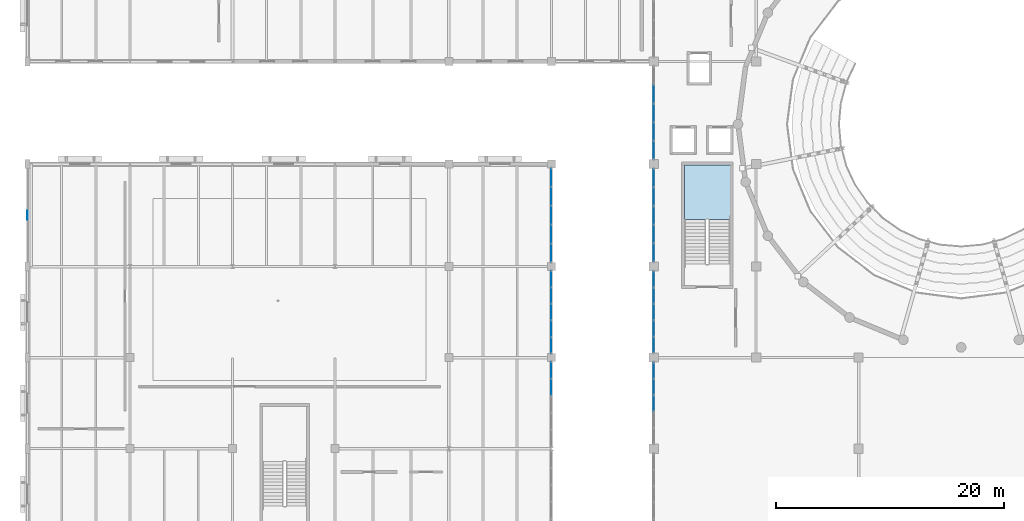
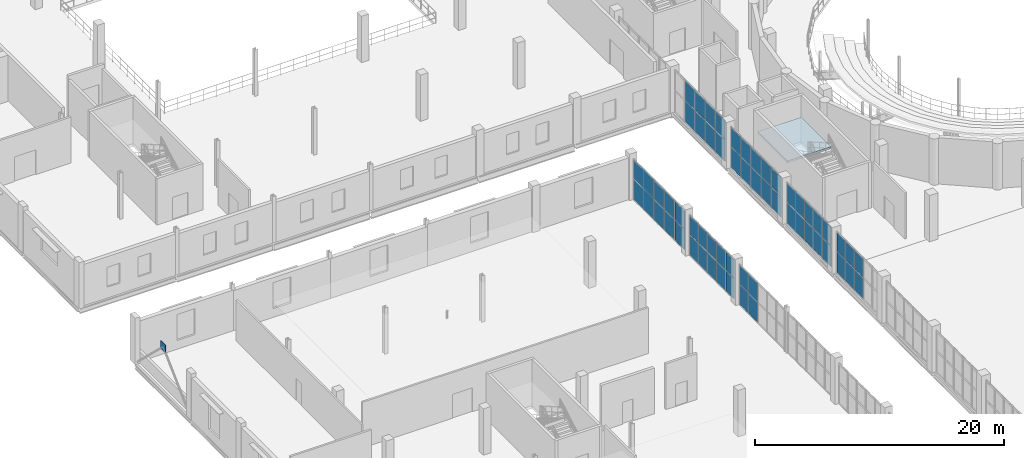
# One storey, part 57 of 93: 59 plates, 1 slab, 8 elements without a shape of their own.
"""IFC4 building model written with IfcOpenShell, lengths in metres."""

from ifc_helpers import new_model, si_unit, direction, frame, origin, origin_2d, place, context, subcontext, project, spatial, polyline, rectangle, outline, extrude, material, layer, layer_set, type_object, element, aggregate, save


model = new_model("IFC4")

# Units and contexts
model_context = context("Model", 3, precision=1e-05, world=origin(), true_north=direction((0.0, 1.0)))
body_context = subcontext(model_context, "Body", "Model", "MODEL_VIEW")
ifc_project = project(units=[si_unit("LENGTHUNIT", "METRE"), si_unit("AREAUNIT", "SQUARE_METRE"), si_unit("VOLUMEUNIT", "CUBIC_METRE"), si_unit("PLANEANGLEUNIT", "RADIAN"), si_unit("MASSUNIT", "GRAM", prefix="KILO")], contexts=[model_context])

# Site, building, storey
site_placement = place(None, origin())
site = spatial("IfcSite", under=ifc_project, at=site_placement, CompositionType="ELEMENT")
building_placement = place(site_placement, origin())
building = spatial("IfcBuilding", under=site, at=building_placement, Name="Marnock Terrace Opera House", CompositionType="ELEMENT")
storey_placement = place(building_placement, frame((0.0, 0.0, 5.39990234375)))
storey = spatial("IfcBuildingStorey", under=building, at=storey_placement, Name="L01", CompositionType="ELEMENT", Elevation=5.39990234375)

# Curtain wall, plates
ifc_material_1 = material(Name="Anodised architectural bronze aluminium framing", Category="aluminium")
ifc_layer_1 = layer(ifc_material_1, 0.159912109375)
ifc_layer_set_1 = layer_set([ifc_layer_1], Name="Anodised architectural bronze aluminium framing")
curtain_wall_type_1 = type_object("IfcCurtainWallType", Name="CW-FOYER-80x45", PredefinedType="NOTDEFINED", material=ifc_layer_set_1)
curtain_wall_1_placement = place(storey_placement, origin())
curtain_wall_1 = element("IfcCurtainWall", 1, at=curtain_wall_1_placement, inside=storey, type_object=curtain_wall_type_1, Name="L01 glazed Beaux-Arts colonnade curtain wall CW-V1W-L01-04", PredefinedType="NOTDEFINED")
ifc_material_2 = material(Name="Double-glazed acoustic low-E laminated glass", Category="glass")
ifc_layer_2 = layer(ifc_material_2, 0.028076171875)
ifc_layer_set_2 = layer_set([ifc_layer_2], Name="Double-glazed acoustic low-E laminated glass")
plate_type_1 = type_object("IfcPlateType", Name="CWP-GLZ-28", PredefinedType="CURTAIN_PANEL", material=ifc_layer_set_2)
plate_1_placement = place(storey_placement, frame((55.0, 36.0, 0.06005859375), z_axis=(0.0, 0.0, 1.0), x_axis=(0.0, 1.0, 0.0)))
plate_1 = element("IfcPlate", 2, at=plate_1_placement, type_object=plate_type_1, Name="CW-87 panel 3.1", PredefinedType="CURTAIN_PANEL", context=body_context, shape_type="SweptSolid", body=[
    extrude(rectangle(XDim=1.381591796875, YDim=0.028076171875, at=origin_2d()), origin(), (0.0, 0.0, 1.0), 2.017333984375),
])
plate_2_placement = place(storey_placement, frame((55.0, 36.0, 2.1376953125), z_axis=(0.0, 0.0, 1.0), x_axis=(0.0, 1.0, 0.0)))
plate_2 = element("IfcPlate", 3, at=plate_2_placement, type_object=plate_type_1, Name="CW-87 panel 3.2", PredefinedType="CURTAIN_PANEL", context=body_context, shape_type="SweptSolid", body=[
    extrude(rectangle(XDim=1.381591796875, YDim=0.028076171875, at=origin_2d()), origin(), (0.0, 0.0, 1.0), 1.855224609375),
])
plate_3_placement = place(storey_placement, frame((55.0, 37.441650390625, 0.06005859375), z_axis=(0.0, 0.0, 1.0), x_axis=(0.0, 1.0, 0.0)))
plate_3 = element("IfcPlate", 4, at=plate_3_placement, type_object=plate_type_1, Name="CW-87 panel 4.1", PredefinedType="CURTAIN_PANEL", context=body_context, shape_type="SweptSolid", body=[
    extrude(rectangle(XDim=1.381591796875, YDim=0.028076171875, at=origin_2d()), origin(), (0.0, 0.0, 1.0), 2.017333984375),
])
plate_4_placement = place(storey_placement, frame((55.0, 37.441650390625, 2.1376953125), z_axis=(0.0, 0.0, 1.0), x_axis=(0.0, 1.0, 0.0)))
plate_4 = element("IfcPlate", 5, at=plate_4_placement, type_object=plate_type_1, Name="CW-87 panel 4.2", PredefinedType="CURTAIN_PANEL", context=body_context, shape_type="SweptSolid", body=[
    extrude(rectangle(XDim=1.381591796875, YDim=0.028076171875, at=origin_2d()), origin(), (0.0, 0.0, 1.0), 1.855224609375),
])
plate_5_placement = place(storey_placement, frame((55.0, 38.8681640625, 0.06005859375), z_axis=(0.0, 0.0, 1.0), x_axis=(0.0, 1.0, 0.0)))
plate_5 = element("IfcPlate", 6, at=plate_5_placement, type_object=plate_type_1, Name="CW-87 panel 5.1", PredefinedType="CURTAIN_PANEL", context=body_context, shape_type="SweptSolid", body=[
    extrude(rectangle(XDim=1.3515625, YDim=0.028076171875, at=origin_2d()), origin(), (0.0, 0.0, 1.0), 2.017333984375),
])
plate_6_placement = place(storey_placement, frame((55.0, 38.8681640625, 2.1376953125), z_axis=(0.0, 0.0, 1.0), x_axis=(0.0, 1.0, 0.0)))
plate_6 = element("IfcPlate", 7, at=plate_6_placement, type_object=plate_type_1, Name="CW-87 panel 5.2", PredefinedType="CURTAIN_PANEL", context=body_context, shape_type="SweptSolid", body=[
    extrude(rectangle(XDim=1.3515625, YDim=0.028076171875, at=origin_2d()), origin(), (0.0, 0.0, 1.0), 1.855224609375),
])
aggregate(curtain_wall_1, [plate_1, plate_2, plate_3, plate_4, plate_5, plate_6])

curtain_wall_2_placement = place(storey_placement, origin())
curtain_wall_2 = element("IfcCurtainWall", 8, at=curtain_wall_2_placement, inside=storey, type_object=curtain_wall_type_1, Name="L01 glazed Beaux-Arts colonnade curtain wall CW-V1W-L01-05", PredefinedType="NOTDEFINED")
plate_7_placement = place(storey_placement, frame((55.0, 41.1318359375, 0.06005859375), z_axis=(0.0, 0.0, 1.0), x_axis=(0.0, 1.0, 0.0)))
plate_7 = element("IfcPlate", 9, at=plate_7_placement, type_object=plate_type_1, Name="CW-87 panel 1.1", PredefinedType="CURTAIN_PANEL", context=body_context, shape_type="SweptSolid", body=[
    extrude(rectangle(XDim=1.3515625, YDim=0.028076171875, at=origin_2d()), origin(), (0.0, 0.0, 1.0), 2.017333984375),
])
plate_8_placement = place(storey_placement, frame((55.0, 41.1318359375, 2.1376953125), z_axis=(0.0, 0.0, 1.0), x_axis=(0.0, 1.0, 0.0)))
plate_8 = element("IfcPlate", 10, at=plate_8_placement, type_object=plate_type_1, Name="CW-87 panel 1.2", PredefinedType="CURTAIN_PANEL", context=body_context, shape_type="SweptSolid", body=[
    extrude(rectangle(XDim=1.3515625, YDim=0.028076171875, at=origin_2d()), origin(), (0.0, 0.0, 1.0), 1.855224609375),
])
plate_9_placement = place(storey_placement, frame((55.0, 42.558349609375, 0.06005859375), z_axis=(0.0, 0.0, 1.0), x_axis=(0.0, 1.0, 0.0)))
plate_9 = element("IfcPlate", 11, at=plate_9_placement, type_object=plate_type_1, Name="CW-87 panel 2.1", PredefinedType="CURTAIN_PANEL", context=body_context, shape_type="SweptSolid", body=[
    extrude(rectangle(XDim=1.381591796875, YDim=0.028076171875, at=origin_2d()), origin(), (0.0, 0.0, 1.0), 2.017333984375),
])
plate_10_placement = place(storey_placement, frame((55.0, 42.558349609375, 2.1376953125), z_axis=(0.0, 0.0, 1.0), x_axis=(0.0, 1.0, 0.0)))
plate_10 = element("IfcPlate", 12, at=plate_10_placement, type_object=plate_type_1, Name="CW-87 panel 2.2", PredefinedType="CURTAIN_PANEL", context=body_context, shape_type="SweptSolid", body=[
    extrude(rectangle(XDim=1.381591796875, YDim=0.028076171875, at=origin_2d()), origin(), (0.0, 0.0, 1.0), 1.855224609375),
])
plate_11_placement = place(storey_placement, frame((55.0, 44.0, 0.06005859375), z_axis=(0.0, 0.0, 1.0), x_axis=(0.0, 1.0, 0.0)))
plate_11 = element("IfcPlate", 13, at=plate_11_placement, type_object=plate_type_1, Name="CW-87 panel 3.1", PredefinedType="CURTAIN_PANEL", context=body_context, shape_type="SweptSolid", body=[
    extrude(rectangle(XDim=1.381591796875, YDim=0.028076171875, at=origin_2d()), origin(), (0.0, 0.0, 1.0), 2.017333984375),
])
plate_12_placement = place(storey_placement, frame((55.0, 44.0, 2.1376953125), z_axis=(0.0, 0.0, 1.0), x_axis=(0.0, 1.0, 0.0)))
plate_12 = element("IfcPlate", 14, at=plate_12_placement, type_object=plate_type_1, Name="CW-87 panel 3.2", PredefinedType="CURTAIN_PANEL", context=body_context, shape_type="SweptSolid", body=[
    extrude(rectangle(XDim=1.381591796875, YDim=0.028076171875, at=origin_2d()), origin(), (0.0, 0.0, 1.0), 1.855224609375),
])
plate_13_placement = place(storey_placement, frame((55.0, 45.441650390625, 0.06005859375), z_axis=(0.0, 0.0, 1.0), x_axis=(0.0, 1.0, 0.0)))
plate_13 = element("IfcPlate", 15, at=plate_13_placement, type_object=plate_type_1, Name="CW-87 panel 4.1", PredefinedType="CURTAIN_PANEL", context=body_context, shape_type="SweptSolid", body=[
    extrude(rectangle(XDim=1.381591796875, YDim=0.028076171875, at=origin_2d()), origin(), (0.0, 0.0, 1.0), 2.017333984375),
])
plate_14_placement = place(storey_placement, frame((55.0, 45.441650390625, 2.1376953125), z_axis=(0.0, 0.0, 1.0), x_axis=(0.0, 1.0, 0.0)))
plate_14 = element("IfcPlate", 16, at=plate_14_placement, type_object=plate_type_1, Name="CW-87 panel 4.2", PredefinedType="CURTAIN_PANEL", context=body_context, shape_type="SweptSolid", body=[
    extrude(rectangle(XDim=1.381591796875, YDim=0.028076171875, at=origin_2d()), origin(), (0.0, 0.0, 1.0), 1.855224609375),
])
plate_15_placement = place(storey_placement, frame((55.0, 46.8681640625, 0.06005859375), z_axis=(0.0, 0.0, 1.0), x_axis=(0.0, 1.0, 0.0)))
plate_15 = element("IfcPlate", 17, at=plate_15_placement, type_object=plate_type_1, Name="CW-87 panel 5.1", PredefinedType="CURTAIN_PANEL", context=body_context, shape_type="SweptSolid", body=[
    extrude(rectangle(XDim=1.3515625, YDim=0.028076171875, at=origin_2d()), origin(), (0.0, 0.0, 1.0), 2.017333984375),
])
plate_16_placement = place(storey_placement, frame((55.0, 46.8681640625, 2.1376953125), z_axis=(0.0, 0.0, 1.0), x_axis=(0.0, 1.0, 0.0)))
plate_16 = element("IfcPlate", 18, at=plate_16_placement, type_object=plate_type_1, Name="CW-87 panel 5.2", PredefinedType="CURTAIN_PANEL", context=body_context, shape_type="SweptSolid", body=[
    extrude(rectangle(XDim=1.3515625, YDim=0.028076171875, at=origin_2d()), origin(), (0.0, 0.0, 1.0), 1.855224609375),
])
aggregate(curtain_wall_2, [plate_7, plate_8, plate_9, plate_10, plate_11, plate_12, plate_13, plate_14, plate_15, plate_16])

ifc_layer_3 = layer(ifc_material_1, 0.159912109375)
ifc_layer_set_3 = layer_set([ifc_layer_3], Name="Anodised architectural bronze aluminium framing")
curtain_wall_type_2 = type_object("IfcCurtainWallType", Name="CW-FOYER-90x45", PredefinedType="NOTDEFINED", material=ifc_layer_set_3)
curtain_wall_3_placement = place(storey_placement, origin())
curtain_wall_3 = element("IfcCurtainWall", 19, at=curtain_wall_3_placement, inside=storey, type_object=curtain_wall_type_2, Name="L01 glazed Beaux-Arts colonnade curtain wall CW-V1W-L01-06", PredefinedType="NOTDEFINED")
plate_17_placement = place(storey_placement, frame((55.0, 49.231689453125, 0.06005859375), z_axis=(0.0, 0.0, 1.0), x_axis=(0.0, 1.0, 0.0)))
plate_17 = element("IfcPlate", 20, at=plate_17_placement, type_object=plate_type_1, Name="CW-27 panel 1.1", PredefinedType="CURTAIN_PANEL", context=body_context, shape_type="SweptSolid", body=[
    extrude(rectangle(XDim=1.551513671875, YDim=0.028076171875, at=origin_2d()), origin(), (0.0, 0.0, 1.0), 2.017333984375),
])
plate_18_placement = place(storey_placement, frame((55.0, 49.231689453125, 2.1376953125), z_axis=(0.0, 0.0, 1.0), x_axis=(0.0, 1.0, 0.0)))
plate_18 = element("IfcPlate", 21, at=plate_18_placement, type_object=plate_type_1, Name="CW-27 panel 1.2", PredefinedType="CURTAIN_PANEL", context=body_context, shape_type="SweptSolid", body=[
    extrude(rectangle(XDim=1.551513671875, YDim=0.028076171875, at=origin_2d()), origin(), (0.0, 0.0, 1.0), 1.855224609375),
])
plate_19_placement = place(storey_placement, frame((55.0, 50.8583984375, 0.06005859375), z_axis=(0.0, 0.0, 1.0), x_axis=(0.0, 1.0, 0.0)))
plate_19 = element("IfcPlate", 22, at=plate_19_placement, type_object=plate_type_1, Name="CW-27 panel 2.1", PredefinedType="CURTAIN_PANEL", context=body_context, shape_type="SweptSolid", body=[
    extrude(rectangle(XDim=1.58154296875, YDim=0.028076171875, at=origin_2d()), origin(), (0.0, 0.0, 1.0), 2.017333984375),
])
plate_20_placement = place(storey_placement, frame((55.0, 50.8583984375, 2.1376953125), z_axis=(0.0, 0.0, 1.0), x_axis=(0.0, 1.0, 0.0)))
plate_20 = element("IfcPlate", 23, at=plate_20_placement, type_object=plate_type_1, Name="CW-27 panel 2.2", PredefinedType="CURTAIN_PANEL", context=body_context, shape_type="SweptSolid", body=[
    extrude(rectangle(XDim=1.58154296875, YDim=0.028076171875, at=origin_2d()), origin(), (0.0, 0.0, 1.0), 1.855224609375),
])
plate_21_placement = place(storey_placement, frame((55.0, 52.5, 0.06005859375), z_axis=(0.0, 0.0, 1.0), x_axis=(0.0, 1.0, 0.0)))
plate_21 = element("IfcPlate", 24, at=plate_21_placement, type_object=plate_type_1, Name="CW-27 panel 3.1", PredefinedType="CURTAIN_PANEL", context=body_context, shape_type="SweptSolid", body=[
    extrude(rectangle(XDim=1.58154296875, YDim=0.028076171875, at=origin_2d()), origin(), (0.0, 0.0, 1.0), 2.017333984375),
])
plate_22_placement = place(storey_placement, frame((55.0, 52.5, 2.1376953125), z_axis=(0.0, 0.0, 1.0), x_axis=(0.0, 1.0, 0.0)))
plate_22 = element("IfcPlate", 25, at=plate_22_placement, type_object=plate_type_1, Name="CW-27 panel 3.2", PredefinedType="CURTAIN_PANEL", context=body_context, shape_type="SweptSolid", body=[
    extrude(rectangle(XDim=1.58154296875, YDim=0.028076171875, at=origin_2d()), origin(), (0.0, 0.0, 1.0), 1.855224609375),
])
plate_23_placement = place(storey_placement, frame((55.0, 54.1416015625, 0.06005859375), z_axis=(0.0, 0.0, 1.0), x_axis=(0.0, 1.0, 0.0)))
plate_23 = element("IfcPlate", 26, at=plate_23_placement, type_object=plate_type_1, Name="CW-27 panel 4.1", PredefinedType="CURTAIN_PANEL", context=body_context, shape_type="SweptSolid", body=[
    extrude(rectangle(XDim=1.58154296875, YDim=0.028076171875, at=origin_2d()), origin(), (0.0, 0.0, 1.0), 2.017333984375),
])
plate_24_placement = place(storey_placement, frame((55.0, 54.1416015625, 2.1376953125), z_axis=(0.0, 0.0, 1.0), x_axis=(0.0, 1.0, 0.0)))
plate_24 = element("IfcPlate", 27, at=plate_24_placement, type_object=plate_type_1, Name="CW-27 panel 4.2", PredefinedType="CURTAIN_PANEL", context=body_context, shape_type="SweptSolid", body=[
    extrude(rectangle(XDim=1.58154296875, YDim=0.028076171875, at=origin_2d()), origin(), (0.0, 0.0, 1.0), 1.855224609375),
])
plate_25_placement = place(storey_placement, frame((55.0, 55.768310546875, 0.06005859375), z_axis=(0.0, 0.0, 1.0), x_axis=(0.0, 1.0, 0.0)))
plate_25 = element("IfcPlate", 28, at=plate_25_placement, type_object=plate_type_1, Name="CW-27 panel 5.1", PredefinedType="CURTAIN_PANEL", context=body_context, shape_type="SweptSolid", body=[
    extrude(rectangle(XDim=1.551513671875, YDim=0.028076171875, at=origin_2d()), origin(), (0.0, 0.0, 1.0), 2.017333984375),
])
plate_26_placement = place(storey_placement, frame((55.0, 55.768310546875, 2.1376953125), z_axis=(0.0, 0.0, 1.0), x_axis=(0.0, 1.0, 0.0)))
plate_26 = element("IfcPlate", 29, at=plate_26_placement, type_object=plate_type_1, Name="CW-27 panel 5.2", PredefinedType="CURTAIN_PANEL", context=body_context, shape_type="SweptSolid", body=[
    extrude(rectangle(XDim=1.551513671875, YDim=0.028076171875, at=origin_2d()), origin(), (0.0, 0.0, 1.0), 1.855224609375),
])
aggregate(curtain_wall_3, [plate_17, plate_18, plate_19, plate_20, plate_21, plate_22, plate_23, plate_24, plate_25, plate_26])

curtain_wall_4_placement = place(storey_placement, origin())
curtain_wall_4 = element("IfcCurtainWall", 30, at=curtain_wall_4_placement, inside=storey, type_object=curtain_wall_type_2, Name="L01 glazed Beaux-Arts colonnade curtain wall CW-V1W-L01-07", PredefinedType="NOTDEFINED")
plate_27_placement = place(storey_placement, frame((55.0, 58.231689453125, 0.06005859375), z_axis=(0.0, 0.0, 1.0), x_axis=(0.0, 1.0, 0.0)))
plate_27 = element("IfcPlate", 31, at=plate_27_placement, type_object=plate_type_1, Name="CW-27 panel 1.1", PredefinedType="CURTAIN_PANEL", context=body_context, shape_type="SweptSolid", body=[
    extrude(rectangle(XDim=1.551513671875, YDim=0.028076171875, at=origin_2d()), origin(), (0.0, 0.0, 1.0), 2.0703125),
])
plate_28_placement = place(storey_placement, frame((55.0, 58.231689453125, 2.1904296875), z_axis=(0.0, 0.0, 1.0), x_axis=(0.0, 1.0, 0.0)))
plate_28 = element("IfcPlate", 32, at=plate_28_placement, type_object=plate_type_1, Name="CW-27 panel 1.2", PredefinedType="CURTAIN_PANEL", context=body_context, shape_type="SweptSolid", body=[
    extrude(rectangle(XDim=1.551513671875, YDim=0.028076171875, at=origin_2d()), origin(), (0.0, 0.0, 1.0), 1.904052734375),
])
plate_29_placement = place(storey_placement, frame((55.0, 59.8583984375, 0.06005859375), z_axis=(0.0, 0.0, 1.0), x_axis=(0.0, 1.0, 0.0)))
plate_29 = element("IfcPlate", 33, at=plate_29_placement, type_object=plate_type_1, Name="CW-27 panel 2.1", PredefinedType="CURTAIN_PANEL", context=body_context, shape_type="SweptSolid", body=[
    extrude(rectangle(XDim=1.58154296875, YDim=0.028076171875, at=origin_2d()), origin(), (0.0, 0.0, 1.0), 2.0703125),
])
plate_30_placement = place(storey_placement, frame((55.0, 59.8583984375, 2.1904296875), z_axis=(0.0, 0.0, 1.0), x_axis=(0.0, 1.0, 0.0)))
plate_30 = element("IfcPlate", 34, at=plate_30_placement, type_object=plate_type_1, Name="CW-27 panel 2.2", PredefinedType="CURTAIN_PANEL", context=body_context, shape_type="SweptSolid", body=[
    extrude(rectangle(XDim=1.58154296875, YDim=0.028076171875, at=origin_2d()), origin(), (0.0, 0.0, 1.0), 1.904052734375),
])
plate_31_placement = place(storey_placement, frame((55.0, 61.5, 0.06005859375), z_axis=(0.0, 0.0, 1.0), x_axis=(0.0, 1.0, 0.0)))
plate_31 = element("IfcPlate", 35, at=plate_31_placement, type_object=plate_type_1, Name="CW-27 panel 3.1", PredefinedType="CURTAIN_PANEL", context=body_context, shape_type="SweptSolid", body=[
    extrude(rectangle(XDim=1.58154296875, YDim=0.028076171875, at=origin_2d()), origin(), (0.0, 0.0, 1.0), 2.0703125),
])
plate_32_placement = place(storey_placement, frame((55.0, 61.5, 2.1904296875), z_axis=(0.0, 0.0, 1.0), x_axis=(0.0, 1.0, 0.0)))
plate_32 = element("IfcPlate", 36, at=plate_32_placement, type_object=plate_type_1, Name="CW-27 panel 3.2", PredefinedType="CURTAIN_PANEL", context=body_context, shape_type="SweptSolid", body=[
    extrude(rectangle(XDim=1.58154296875, YDim=0.028076171875, at=origin_2d()), origin(), (0.0, 0.0, 1.0), 1.904052734375),
])
plate_33_placement = place(storey_placement, frame((55.0, 63.1416015625, 0.06005859375), z_axis=(0.0, 0.0, 1.0), x_axis=(0.0, 1.0, 0.0)))
plate_33 = element("IfcPlate", 37, at=plate_33_placement, type_object=plate_type_1, Name="CW-27 panel 4.1", PredefinedType="CURTAIN_PANEL", context=body_context, shape_type="SweptSolid", body=[
    extrude(rectangle(XDim=1.58154296875, YDim=0.028076171875, at=origin_2d()), origin(), (0.0, 0.0, 1.0), 2.0703125),
])
plate_34_placement = place(storey_placement, frame((55.0, 63.1416015625, 2.1904296875), z_axis=(0.0, 0.0, 1.0), x_axis=(0.0, 1.0, 0.0)))
plate_34 = element("IfcPlate", 38, at=plate_34_placement, type_object=plate_type_1, Name="CW-27 panel 4.2", PredefinedType="CURTAIN_PANEL", context=body_context, shape_type="SweptSolid", body=[
    extrude(rectangle(XDim=1.58154296875, YDim=0.028076171875, at=origin_2d()), origin(), (0.0, 0.0, 1.0), 1.904052734375),
])
aggregate(curtain_wall_4, [plate_27, plate_28, plate_29, plate_30, plate_31, plate_32, plate_33, plate_34])

ifc_layer_4 = layer(ifc_material_1, 0.159912109375)
ifc_layer_set_4 = layer_set([ifc_layer_4], Name="Anodised architectural bronze aluminium framing")
curtain_wall_type_3 = type_object("IfcCurtainWallType", Name="CW-COURT-80x45", PredefinedType="NOTDEFINED", material=ifc_layer_set_4)
curtain_wall_5_placement = place(storey_placement, origin())
curtain_wall_5 = element("IfcCurtainWall", 39, at=curtain_wall_5_placement, inside=storey, type_object=curtain_wall_type_3, Name="L01 glazed Beaux-Arts colonnade curtain wall CW-V3E-L01-04", PredefinedType="NOTDEFINED")
plate_35_placement = place(storey_placement, frame((46.0, 37.40478515625, 0.06005859375), z_axis=(0.0, 0.0, 1.0), x_axis=(0.0, 1.0, 0.0)))
plate_35 = element("IfcPlate", 40, at=plate_35_placement, type_object=plate_type_1, Name="CW-67 panel 4.1", PredefinedType="CURTAIN_PANEL", context=body_context, shape_type="SweptSolid", body=[
    extrude(rectangle(XDim=1.439453125, YDim=0.028076171875, at=origin_2d()), origin(), (0.0, 0.0, 1.0), 1.980712890625),
])
plate_36_placement = place(storey_placement, frame((46.0, 37.40478515625, 2.100830078125), z_axis=(0.0, 0.0, 1.0), x_axis=(0.0, 1.0, 0.0)))
plate_36 = element("IfcPlate", 41, at=plate_36_placement, type_object=plate_type_1, Name="CW-67 panel 4.2", PredefinedType="CURTAIN_PANEL", context=body_context, shape_type="SweptSolid", body=[
    extrude(rectangle(XDim=1.439453125, YDim=0.028076171875, at=origin_2d()), origin(), (0.0, 0.0, 1.0), 1.8212890625),
])
plate_37_placement = place(storey_placement, frame((46.0, 38.88916015625, 0.06005859375), z_axis=(0.0, 0.0, 1.0), x_axis=(0.0, 1.0, 0.0)))
plate_37 = element("IfcPlate", 42, at=plate_37_placement, type_object=plate_type_1, Name="CW-67 panel 5.1", PredefinedType="CURTAIN_PANEL", context=body_context, shape_type="SweptSolid", body=[
    extrude(rectangle(XDim=1.409423828125, YDim=0.028076171875, at=origin_2d()), origin(), (0.0, 0.0, 1.0), 1.980712890625),
])
plate_38_placement = place(storey_placement, frame((46.0, 38.88916015625, 2.100830078125), z_axis=(0.0, 0.0, 1.0), x_axis=(0.0, 1.0, 0.0)))
plate_38 = element("IfcPlate", 43, at=plate_38_placement, type_object=plate_type_1, Name="CW-67 panel 5.2", PredefinedType="CURTAIN_PANEL", context=body_context, shape_type="SweptSolid", body=[
    extrude(rectangle(XDim=1.409423828125, YDim=0.028076171875, at=origin_2d()), origin(), (0.0, 0.0, 1.0), 1.8212890625),
])
aggregate(curtain_wall_5, [plate_35, plate_36, plate_37, plate_38])

curtain_wall_6_placement = place(storey_placement, origin())
curtain_wall_6 = element("IfcCurtainWall", 44, at=curtain_wall_6_placement, inside=storey, type_object=curtain_wall_type_3, Name="L01 glazed Beaux-Arts colonnade curtain wall CW-V3E-L01-05", PredefinedType="NOTDEFINED")
plate_39_placement = place(storey_placement, frame((46.0, 41.091796875, 0.06005859375), z_axis=(0.0, 0.0, 1.0), x_axis=(0.0, 1.0, 0.0)))
plate_39 = element("IfcPlate", 45, at=plate_39_placement, type_object=plate_type_1, Name="CW-67 panel 1.1", PredefinedType="CURTAIN_PANEL", context=body_context, shape_type="SweptSolid", body=[
    extrude(rectangle(XDim=1.37158203125, YDim=0.028076171875, at=origin_2d()), origin(), (0.0, 0.0, 1.0), 1.980712890625),
])
plate_40_placement = place(storey_placement, frame((46.0, 41.091796875, 2.100830078125), z_axis=(0.0, 0.0, 1.0), x_axis=(0.0, 1.0, 0.0)))
plate_40 = element("IfcPlate", 46, at=plate_40_placement, type_object=plate_type_1, Name="CW-67 panel 1.2", PredefinedType="CURTAIN_PANEL", context=body_context, shape_type="SweptSolid", body=[
    extrude(rectangle(XDim=1.37158203125, YDim=0.028076171875, at=origin_2d()), origin(), (0.0, 0.0, 1.0), 1.8212890625),
])
plate_41_placement = place(storey_placement, frame((46.0, 42.538330078125, 0.06005859375), z_axis=(0.0, 0.0, 1.0), x_axis=(0.0, 1.0, 0.0)))
plate_41 = element("IfcPlate", 47, at=plate_41_placement, type_object=plate_type_1, Name="CW-67 panel 2.1", PredefinedType="CURTAIN_PANEL", context=body_context, shape_type="SweptSolid", body=[
    extrude(rectangle(XDim=1.401611328125, YDim=0.028076171875, at=origin_2d()), origin(), (0.0, 0.0, 1.0), 1.980712890625),
])
plate_42_placement = place(storey_placement, frame((46.0, 42.538330078125, 2.100830078125), z_axis=(0.0, 0.0, 1.0), x_axis=(0.0, 1.0, 0.0)))
plate_42 = element("IfcPlate", 48, at=plate_42_placement, type_object=plate_type_1, Name="CW-67 panel 2.2", PredefinedType="CURTAIN_PANEL", context=body_context, shape_type="SweptSolid", body=[
    extrude(rectangle(XDim=1.401611328125, YDim=0.028076171875, at=origin_2d()), origin(), (0.0, 0.0, 1.0), 1.8212890625),
])
plate_43_placement = place(storey_placement, frame((46.0, 44.0, 0.06005859375), z_axis=(0.0, 0.0, 1.0), x_axis=(0.0, 1.0, 0.0)))
plate_43 = element("IfcPlate", 49, at=plate_43_placement, type_object=plate_type_1, Name="CW-67 panel 3.1", PredefinedType="CURTAIN_PANEL", context=body_context, shape_type="SweptSolid", body=[
    extrude(rectangle(XDim=1.401611328125, YDim=0.028076171875, at=origin_2d()), origin(), (0.0, 0.0, 1.0), 1.980712890625),
])
plate_44_placement = place(storey_placement, frame((46.0, 44.0, 2.100830078125), z_axis=(0.0, 0.0, 1.0), x_axis=(0.0, 1.0, 0.0)))
plate_44 = element("IfcPlate", 50, at=plate_44_placement, type_object=plate_type_1, Name="CW-67 panel 3.2", PredefinedType="CURTAIN_PANEL", context=body_context, shape_type="SweptSolid", body=[
    extrude(rectangle(XDim=1.401611328125, YDim=0.028076171875, at=origin_2d()), origin(), (0.0, 0.0, 1.0), 1.8212890625),
])
plate_45_placement = place(storey_placement, frame((46.0, 45.461669921875, 0.06005859375), z_axis=(0.0, 0.0, 1.0), x_axis=(0.0, 1.0, 0.0)))
plate_45 = element("IfcPlate", 51, at=plate_45_placement, type_object=plate_type_1, Name="CW-67 panel 4.1", PredefinedType="CURTAIN_PANEL", context=body_context, shape_type="SweptSolid", body=[
    extrude(rectangle(XDim=1.401611328125, YDim=0.028076171875, at=origin_2d()), origin(), (0.0, 0.0, 1.0), 1.980712890625),
])
plate_46_placement = place(storey_placement, frame((46.0, 45.461669921875, 2.100830078125), z_axis=(0.0, 0.0, 1.0), x_axis=(0.0, 1.0, 0.0)))
plate_46 = element("IfcPlate", 52, at=plate_46_placement, type_object=plate_type_1, Name="CW-67 panel 4.2", PredefinedType="CURTAIN_PANEL", context=body_context, shape_type="SweptSolid", body=[
    extrude(rectangle(XDim=1.401611328125, YDim=0.028076171875, at=origin_2d()), origin(), (0.0, 0.0, 1.0), 1.8212890625),
])
plate_47_placement = place(storey_placement, frame((46.0, 46.908203125, 0.06005859375), z_axis=(0.0, 0.0, 1.0), x_axis=(0.0, 1.0, 0.0)))
plate_47 = element("IfcPlate", 53, at=plate_47_placement, type_object=plate_type_1, Name="CW-67 panel 5.1", PredefinedType="CURTAIN_PANEL", context=body_context, shape_type="SweptSolid", body=[
    extrude(rectangle(XDim=1.37158203125, YDim=0.028076171875, at=origin_2d()), origin(), (0.0, 0.0, 1.0), 1.980712890625),
])
plate_48_placement = place(storey_placement, frame((46.0, 46.908203125, 2.100830078125), z_axis=(0.0, 0.0, 1.0), x_axis=(0.0, 1.0, 0.0)))
plate_48 = element("IfcPlate", 54, at=plate_48_placement, type_object=plate_type_1, Name="CW-67 panel 5.2", PredefinedType="CURTAIN_PANEL", context=body_context, shape_type="SweptSolid", body=[
    extrude(rectangle(XDim=1.37158203125, YDim=0.028076171875, at=origin_2d()), origin(), (0.0, 0.0, 1.0), 1.8212890625),
])
aggregate(curtain_wall_6, [plate_39, plate_40, plate_41, plate_42, plate_43, plate_44, plate_45, plate_46, plate_47, plate_48])

curtain_wall_7_placement = place(storey_placement, origin())
curtain_wall_7 = element("IfcCurtainWall", 55, at=curtain_wall_7_placement, inside=storey, type_object=curtain_wall_type_3, Name="L01 glazed Beaux-Arts colonnade curtain wall CW-V3E-L01-06", PredefinedType="NOTDEFINED")
plate_49_placement = place(storey_placement, frame((46.0, 49.19189453125, 0.06005859375), z_axis=(0.0, 0.0, 1.0), x_axis=(0.0, 1.0, 0.0)))
plate_49 = element("IfcPlate", 56, at=plate_49_placement, type_object=plate_type_1, Name="CW-67 panel 1.1", PredefinedType="CURTAIN_PANEL", context=body_context, shape_type="SweptSolid", body=[
    extrude(rectangle(XDim=1.571533203125, YDim=0.028076171875, at=origin_2d()), origin(), (0.0, 0.0, 1.0), 1.980712890625),
])
plate_50_placement = place(storey_placement, frame((46.0, 49.19189453125, 2.100830078125), z_axis=(0.0, 0.0, 1.0), x_axis=(0.0, 1.0, 0.0)))
plate_50 = element("IfcPlate", 57, at=plate_50_placement, type_object=plate_type_1, Name="CW-67 panel 1.2", PredefinedType="CURTAIN_PANEL", context=body_context, shape_type="SweptSolid", body=[
    extrude(rectangle(XDim=1.571533203125, YDim=0.028076171875, at=origin_2d()), origin(), (0.0, 0.0, 1.0), 1.8212890625),
])
plate_51_placement = place(storey_placement, frame((46.0, 50.83837890625, 0.06005859375), z_axis=(0.0, 0.0, 1.0), x_axis=(0.0, 1.0, 0.0)))
plate_51 = element("IfcPlate", 58, at=plate_51_placement, type_object=plate_type_1, Name="CW-67 panel 2.1", PredefinedType="CURTAIN_PANEL", context=body_context, shape_type="SweptSolid", body=[
    extrude(rectangle(XDim=1.6015625, YDim=0.028076171875, at=origin_2d()), origin(), (0.0, 0.0, 1.0), 1.980712890625),
])
plate_52_placement = place(storey_placement, frame((46.0, 50.83837890625, 2.100830078125), z_axis=(0.0, 0.0, 1.0), x_axis=(0.0, 1.0, 0.0)))
plate_52 = element("IfcPlate", 59, at=plate_52_placement, type_object=plate_type_1, Name="CW-67 panel 2.2", PredefinedType="CURTAIN_PANEL", context=body_context, shape_type="SweptSolid", body=[
    extrude(rectangle(XDim=1.6015625, YDim=0.028076171875, at=origin_2d()), origin(), (0.0, 0.0, 1.0), 1.8212890625),
])
plate_53_placement = place(storey_placement, frame((46.0, 52.5, 0.06005859375), z_axis=(0.0, 0.0, 1.0), x_axis=(0.0, 1.0, 0.0)))
plate_53 = element("IfcPlate", 60, at=plate_53_placement, type_object=plate_type_1, Name="CW-67 panel 3.1", PredefinedType="CURTAIN_PANEL", context=body_context, shape_type="SweptSolid", body=[
    extrude(rectangle(XDim=1.6015625, YDim=0.028076171875, at=origin_2d()), origin(), (0.0, 0.0, 1.0), 1.980712890625),
])
plate_54_placement = place(storey_placement, frame((46.0, 52.5, 2.100830078125), z_axis=(0.0, 0.0, 1.0), x_axis=(0.0, 1.0, 0.0)))
plate_54 = element("IfcPlate", 61, at=plate_54_placement, type_object=plate_type_1, Name="CW-67 panel 3.2", PredefinedType="CURTAIN_PANEL", context=body_context, shape_type="SweptSolid", body=[
    extrude(rectangle(XDim=1.6015625, YDim=0.028076171875, at=origin_2d()), origin(), (0.0, 0.0, 1.0), 1.8212890625),
])
plate_55_placement = place(storey_placement, frame((46.0, 54.16162109375, 0.06005859375), z_axis=(0.0, 0.0, 1.0), x_axis=(0.0, 1.0, 0.0)))
plate_55 = element("IfcPlate", 62, at=plate_55_placement, type_object=plate_type_1, Name="CW-67 panel 4.1", PredefinedType="CURTAIN_PANEL", context=body_context, shape_type="SweptSolid", body=[
    extrude(rectangle(XDim=1.6015625, YDim=0.028076171875, at=origin_2d()), origin(), (0.0, 0.0, 1.0), 1.980712890625),
])
plate_56_placement = place(storey_placement, frame((46.0, 54.16162109375, 2.100830078125), z_axis=(0.0, 0.0, 1.0), x_axis=(0.0, 1.0, 0.0)))
plate_56 = element("IfcPlate", 63, at=plate_56_placement, type_object=plate_type_1, Name="CW-67 panel 4.2", PredefinedType="CURTAIN_PANEL", context=body_context, shape_type="SweptSolid", body=[
    extrude(rectangle(XDim=1.6015625, YDim=0.028076171875, at=origin_2d()), origin(), (0.0, 0.0, 1.0), 1.8212890625),
])
plate_57_placement = place(storey_placement, frame((46.0, 55.80810546875, 0.06005859375), z_axis=(0.0, 0.0, 1.0), x_axis=(0.0, 1.0, 0.0)))
plate_57 = element("IfcPlate", 64, at=plate_57_placement, type_object=plate_type_1, Name="CW-67 panel 5.1", PredefinedType="CURTAIN_PANEL", context=body_context, shape_type="SweptSolid", body=[
    extrude(rectangle(XDim=1.571533203125, YDim=0.028076171875, at=origin_2d()), origin(), (0.0, 0.0, 1.0), 1.980712890625),
])
plate_58_placement = place(storey_placement, frame((46.0, 55.80810546875, 2.100830078125), z_axis=(0.0, 0.0, 1.0), x_axis=(0.0, 1.0, 0.0)))
plate_58 = element("IfcPlate", 65, at=plate_58_placement, type_object=plate_type_1, Name="CW-67 panel 5.2", PredefinedType="CURTAIN_PANEL", context=body_context, shape_type="SweptSolid", body=[
    extrude(rectangle(XDim=1.571533203125, YDim=0.028076171875, at=origin_2d()), origin(), (0.0, 0.0, 1.0), 1.8212890625),
])
aggregate(curtain_wall_7, [plate_49, plate_50, plate_51, plate_52, plate_53, plate_54, plate_55, plate_56, plate_57, plate_58])

# Plate
ifc_material_3 = material(Name="Steel Grade 350 (AS/NZS 3679.1)", Category="steel")
ifc_layer_5 = layer(ifc_material_3, 0.030029296875)
ifc_layer_set_5 = layer_set([ifc_layer_5], Name="Steel Grade 350 (AS/NZS 3679.1)")
plate_type_2 = type_object("IfcPlateType", Name="PLT-GUSSET-30", PredefinedType="SHEET", material=ifc_layer_set_5)
plate_59_placement = place(storey_placement, frame((0.0, 52.5, 3.7900390625), z_axis=(0.0, 0.0, 1.0), x_axis=(0.0, 1.0, 0.0)))
element("IfcPlate", 66, at=plate_59_placement, inside=storey, type_object=plate_type_2, Name="L01 chevron brace gusset plate BN-2", PredefinedType="SHEET", context=body_context, shape_type="SweptSolid", body=[
    extrude(rectangle(XDim=0.780029296875, YDim=0.030029296875, at=origin_2d()), origin(), (0.0, 0.0, 1.0), 0.780029296875),
])

# Stair, slab
ifc_material_4 = material(Name="Concrete N40 (f'c = 40 MPa)", Category="concrete")
stair_type = type_object("IfcStairType", Name="ST-TYPE-2600", PredefinedType="HALF_TURN_STAIR", material=ifc_material_4)
stair_placement = place(storey_placement, origin())
stair = element("IfcStair", 67, at=stair_placement, inside=storey, type_object=stair_type, Name="L01 ST-01", PredefinedType="HALF_TURN_STAIR")
ifc_material_5 = material(Name="Concrete N32 (f'c = 32 MPa)", Category="concrete")
ifc_layer_6 = layer(ifc_material_5, 0.199951171875)
ifc_layer_set_6 = layer_set([ifc_layer_6], Name="Concrete N32 (f'c = 32 MPa)")
slab_type = type_object("IfcSlabType", Name="SL-LAND-200", PredefinedType="LANDING", material=ifc_layer_set_6)
slab_placement = place(storey_placement, frame((0.0, 0.0, 2.2001953125)))
slab = element("IfcSlab", 68, at=slab_placement, type_object=slab_type, Name="ST-01 landing 1", PredefinedType="LANDING", context=body_context, shape_type="SweptSolid", body=[
    extrude(outline(polyline([(61.719970703125, 52.139892578125), (61.719970703125, 56.919921875), (57.679931640625, 56.919921875), (57.679931640625, 52.139892578125), (61.719970703125, 52.139892578125)])), origin(), (0.0, 0.0, 1.0), 0.199951171875),
])
aggregate(stair, [slab])

save(model, "model.ifc")
